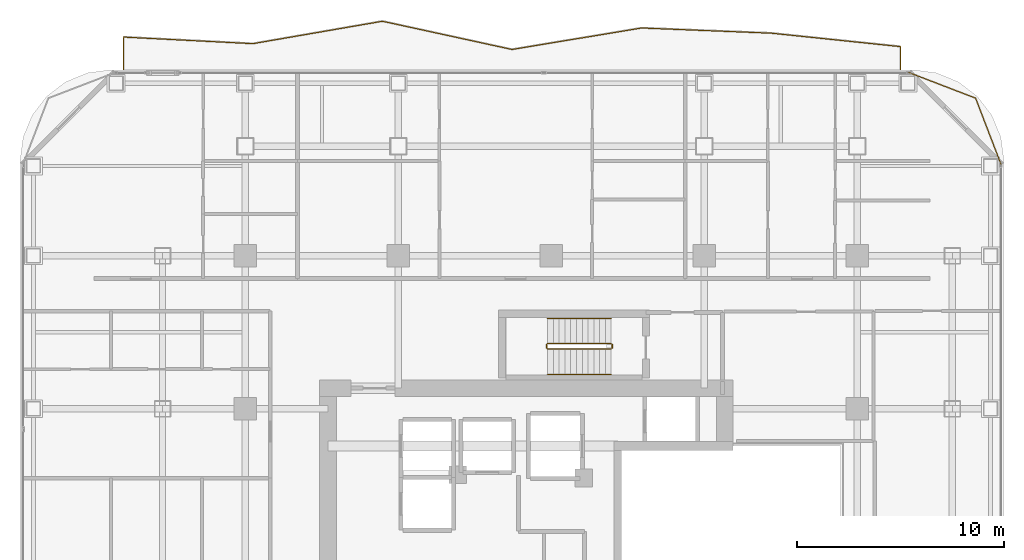
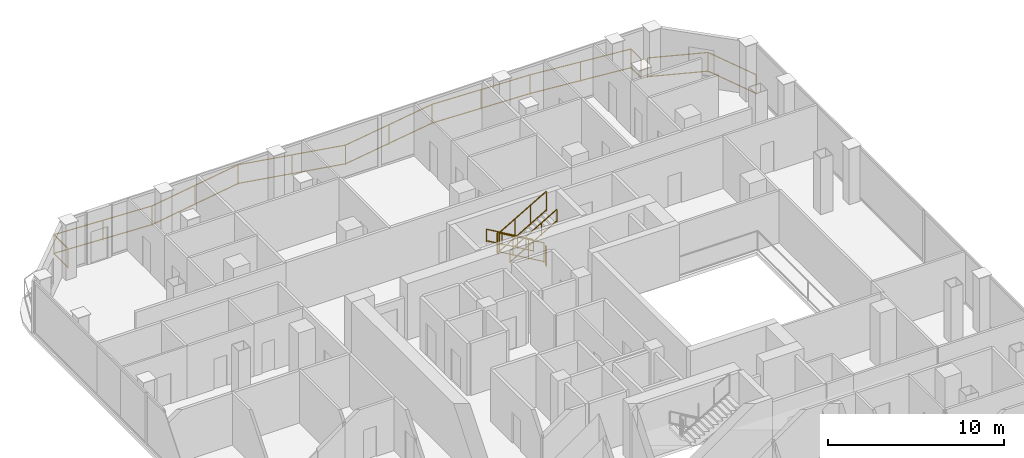
# One storey, part 26 of 26: 8 railings.
"""IFC4 building model written with IfcOpenShell, lengths in metres."""

from ifc_helpers import new_model, si_unit, direction, frame, origin, origin_2d, place, context, subcontext, project, spatial, rectangle, extrude, material, type_object, element, save


model = new_model("IFC4")

# Units and contexts
model_context = context("Model", 3, precision=1e-05, world=origin(), true_north=direction((0.0, 1.0)))
body_context = subcontext(model_context, "Body", "Model", "MODEL_VIEW")
ifc_project = project(units=[si_unit("LENGTHUNIT", "METRE"), si_unit("AREAUNIT", "SQUARE_METRE"), si_unit("VOLUMEUNIT", "CUBIC_METRE"), si_unit("PLANEANGLEUNIT", "RADIAN"), si_unit("MASSUNIT", "GRAM", prefix="KILO")], contexts=[model_context])

# Site, building, storey
site_placement = place(None, origin())
site = spatial("IfcSite", under=ifc_project, at=site_placement, CompositionType="ELEMENT")
building_placement = place(site_placement, origin())
building = spatial("IfcBuilding", under=site, at=building_placement, Name="Khorvyn Point Tower", CompositionType="ELEMENT")
storey_placement = place(building_placement, frame((0.0, 0.0, 187.5)))
storey = spatial("IfcBuildingStorey", under=building, at=storey_placement, Name="L46", CompositionType="ELEMENT", Elevation=187.5)

# Railings
ifc_material_1 = material(Name="Anodised aluminium 6063-T6 and laminated safety glass", Category="aluminium")
railing_type_1 = type_object("IfcRailingType", Name="Laminated Glass and Aluminium Balcony Guardrail 1400", PredefinedType="BALUSTRADE", material=ifc_material_1)
railing_1_placement = place(storey_placement, frame((21.774169921875, 19.176025390625, 0.0)))
element("IfcRailing", 1, at=railing_1_placement, inside=storey, type_object=railing_type_1, Name="L46 Rounded Corner Edge Guardrail NE", PredefinedType="BALUSTRADE", context=body_context, shape_type="SweptSolid", body=[
    extrude(rectangle(XDim=0.048095703125, YDim=0.048095703125, at=origin_2d()), frame((0.0, 0.0, 1.3759765625), z_axis=(-0.358382264808, 0.933574931257, 0.0), x_axis=(-0.933574931257, -0.358382264808, 0.0)), (0.0, 0.0, 1.0), 3.481689453125),
    extrude(rectangle(XDim=0.048095703125, YDim=0.048095703125, at=origin_2d()), frame((0.0, 0.0, 0.080078125), z_axis=(-0.358382264808, 0.933574931257, 0.0), x_axis=(-0.933574931257, -0.358382264808, 0.0)), (0.0, 0.0, 1.0), 3.481689453125),
    extrude(rectangle(XDim=0.048095703125, YDim=0.048095703125, at=origin_2d()), frame((-1.247802734375, 3.25048828125, 1.3759765625), z_axis=(-0.933598390295, 0.358321148746, 0.0), x_axis=(-0.358321148746, -0.933598390295, 0.0)), (0.0, 0.0, 1.0), 3.481689453125),
    extrude(rectangle(XDim=0.048095703125, YDim=0.048095703125, at=origin_2d()), frame((-1.247802734375, 3.25048828125, 0.080078125), z_axis=(-0.933598390295, 0.358321148746, 0.0), x_axis=(-0.358321148746, -0.933598390295, 0.0)), (0.0, 0.0, 1.0), 3.481689453125),
    extrude(rectangle(XDim=0.0419921875, YDim=0.0419921875, at=origin_2d()), origin(), (0.0, 0.0, 1.0), 1.351806640625),
    extrude(rectangle(XDim=0.0419921875, YDim=0.0419921875, at=origin_2d()), frame((-1.247802734375, 3.25048828125, 0.0)), (0.0, 0.0, 1.0), 1.351806640625),
    extrude(rectangle(XDim=0.0419921875, YDim=0.0419921875, at=origin_2d()), frame((-4.498291015625, 4.498046875, 0.0)), (0.0, 0.0, 1.0), 1.351806640625),
])
railing_2_placement = place(storey_placement, frame((16.89990234375, 23.800048828125, 0.0)))
element("IfcRailing", 2, at=railing_2_placement, inside=storey, type_object=railing_type_1, Name="L46 North Balcony Guardrail", PredefinedType="BALUSTRADE", context=body_context, shape_type="SweptSolid", body=[
    extrude(rectangle(XDim=0.048095703125, YDim=0.048095703125, at=origin_2d()), frame((0.0, 0.0, 1.3759765625), z_axis=(0.0, 1.0, 0.0), x_axis=(-1.0, 0.0, 0.0)), (0.0, 0.0, 1.0), 1.11865234375),
    extrude(rectangle(XDim=0.048095703125, YDim=0.048095703125, at=origin_2d()), frame((0.0, 0.0, 0.080078125), z_axis=(0.0, 1.0, 0.0), x_axis=(-1.0, 0.0, 0.0)), (0.0, 0.0, 1.0), 1.11865234375),
    extrude(rectangle(XDim=0.048095703125, YDim=0.048095703125, at=origin_2d()), frame((0.0, 1.11865234375, 1.3759765625), z_axis=(-0.99462938435, 0.103500665638, 0.0), x_axis=(-0.103500665638, -0.99462938435, 0.0)), (0.0, 0.0, 1.0), 6.300537109375),
    extrude(rectangle(XDim=0.048095703125, YDim=0.048095703125, at=origin_2d()), frame((0.0, 1.11865234375, 0.080078125), z_axis=(-0.99462938435, 0.103500665638, 0.0), x_axis=(-0.103500665638, -0.99462938435, 0.0)), (0.0, 0.0, 1.0), 6.300537109375),
    extrude(rectangle(XDim=0.048095703125, YDim=0.048095703125, at=origin_2d()), frame((-6.2666015625, 1.770751953125, 1.3759765625), z_axis=(-0.999209826541, 0.039745723582, 0.0), x_axis=(-0.039745723582, -0.999209826541, 0.0)), (0.0, 0.0, 1.0), 6.271484375),
    extrude(rectangle(XDim=0.048095703125, YDim=0.048095703125, at=origin_2d()), frame((-6.2666015625, 1.770751953125, 0.080078125), z_axis=(-0.999209826541, 0.039745723582, 0.0), x_axis=(-0.039745723582, -0.999209826541, 0.0)), (0.0, 0.0, 1.0), 6.271484375),
    extrude(rectangle(XDim=0.048095703125, YDim=0.048095703125, at=origin_2d()), frame((-12.533203125, 2.02001953125, 1.3759765625), z_axis=(-0.986524494659, -0.163613634633, 0.0), x_axis=(0.163613634633, -0.986524494659, 0.0)), (0.0, 0.0, 1.0), 6.352294921875),
    extrude(rectangle(XDim=0.048095703125, YDim=0.048095703125, at=origin_2d()), frame((-12.533203125, 2.02001953125, 0.080078125), z_axis=(-0.986524494659, -0.163613634633, 0.0), x_axis=(0.163613634633, -0.986524494659, 0.0)), (0.0, 0.0, 1.0), 6.352294921875),
    extrude(rectangle(XDim=0.048095703125, YDim=0.048095703125, at=origin_2d()), frame((-18.7998046875, 0.980712890625, 1.3759765625), z_axis=(-0.977051492994, 0.213003239503, 0.0), x_axis=(-0.213003239503, -0.977051492994, 0.0)), (0.0, 0.0, 1.0), 6.4140625),
    extrude(rectangle(XDim=0.048095703125, YDim=0.048095703125, at=origin_2d()), frame((-18.7998046875, 0.980712890625, 0.080078125), z_axis=(-0.977051492994, 0.213003239503, 0.0), x_axis=(-0.213003239503, -0.977051492994, 0.0)), (0.0, 0.0, 1.0), 6.4140625),
    extrude(rectangle(XDim=0.048095703125, YDim=0.048095703125, at=origin_2d()), frame((-25.066650390625, 2.346923828125, 1.3759765625), z_axis=(-0.985353979217, -0.170521364177, 0.0), x_axis=(0.170521364177, -0.985353979217, 0.0)), (0.0, 0.0, 1.0), 6.35986328125),
    extrude(rectangle(XDim=0.048095703125, YDim=0.048095703125, at=origin_2d()), frame((-25.066650390625, 2.346923828125, 0.080078125), z_axis=(-0.985353979217, -0.170521364177, 0.0), x_axis=(0.170521364177, -0.985353979217, 0.0)), (0.0, 0.0, 1.0), 6.35986328125),
    extrude(rectangle(XDim=0.048095703125, YDim=0.048095703125, at=origin_2d()), frame((-31.333251953125, 1.262451171875, 1.3759765625), z_axis=(-0.998706121207, 0.050853549183, 0.0), x_axis=(-0.050853549183, -0.998706121207, 0.0)), (0.0, 0.0, 1.0), 6.274658203125),
    extrude(rectangle(XDim=0.048095703125, YDim=0.048095703125, at=origin_2d()), frame((-31.333251953125, 1.262451171875, 0.080078125), z_axis=(-0.998706121207, 0.050853549183, 0.0), x_axis=(-0.050853549183, -0.998706121207, 0.0)), (0.0, 0.0, 1.0), 6.274658203125),
    extrude(rectangle(XDim=0.048095703125, YDim=0.048095703125, at=origin_2d()), frame((-37.599853515625, 1.58154296875, 1.3759765625), z_axis=(0.0, -1.0, 0.0), x_axis=(1.0, 0.0, 0.0)), (0.0, 0.0, 1.0), 1.58154296875),
    extrude(rectangle(XDim=0.048095703125, YDim=0.048095703125, at=origin_2d()), frame((-37.599853515625, 1.58154296875, 0.080078125), z_axis=(0.0, -1.0, 0.0), x_axis=(1.0, 0.0, 0.0)), (0.0, 0.0, 1.0), 1.58154296875),
    extrude(rectangle(XDim=0.0419921875, YDim=0.0419921875, at=origin_2d()), origin(), (0.0, 0.0, 1.0), 1.351806640625),
    extrude(rectangle(XDim=0.0419921875, YDim=0.0419921875, at=origin_2d()), frame((0.0, 1.11865234375, 0.0)), (0.0, 0.0, 1.0), 1.351806640625),
    extrude(rectangle(XDim=0.0419921875, YDim=0.0419921875, at=origin_2d()), frame((-3.13330078125, 1.44482421875, 0.0)), (0.0, 0.0, 1.0), 1.351806640625),
    extrude(rectangle(XDim=0.0419921875, YDim=0.0419921875, at=origin_2d()), frame((-6.2666015625, 1.770751953125, 0.0)), (0.0, 0.0, 1.0), 1.351806640625),
    extrude(rectangle(XDim=0.0419921875, YDim=0.0419921875, at=origin_2d()), frame((-9.39990234375, 1.8955078125, 0.0)), (0.0, 0.0, 1.0), 1.351806640625),
    extrude(rectangle(XDim=0.0419921875, YDim=0.0419921875, at=origin_2d()), frame((-12.533203125, 2.02001953125, 0.0)), (0.0, 0.0, 1.0), 1.351806640625),
    extrude(rectangle(XDim=0.0419921875, YDim=0.0419921875, at=origin_2d()), frame((-15.66650390625, 1.50048828125, 0.0)), (0.0, 0.0, 1.0), 1.351806640625),
    extrude(rectangle(XDim=0.0419921875, YDim=0.0419921875, at=origin_2d()), frame((-18.7998046875, 0.980712890625, 0.0)), (0.0, 0.0, 1.0), 1.351806640625),
    extrude(rectangle(XDim=0.0419921875, YDim=0.0419921875, at=origin_2d()), frame((-21.93310546875, 1.663818359375, 0.0)), (0.0, 0.0, 1.0), 1.351806640625),
    extrude(rectangle(XDim=0.0419921875, YDim=0.0419921875, at=origin_2d()), frame((-25.066650390625, 2.346923828125, 0.0)), (0.0, 0.0, 1.0), 1.351806640625),
    extrude(rectangle(XDim=0.0419921875, YDim=0.0419921875, at=origin_2d()), frame((-28.199951171875, 1.8046875, 0.0)), (0.0, 0.0, 1.0), 1.351806640625),
    extrude(rectangle(XDim=0.0419921875, YDim=0.0419921875, at=origin_2d()), frame((-31.333251953125, 1.262451171875, 0.0)), (0.0, 0.0, 1.0), 1.351806640625),
    extrude(rectangle(XDim=0.0419921875, YDim=0.0419921875, at=origin_2d()), frame((-34.466552734375, 1.421875, 0.0)), (0.0, 0.0, 1.0), 1.351806640625),
    extrude(rectangle(XDim=0.0419921875, YDim=0.0419921875, at=origin_2d()), frame((-37.599853515625, 1.58154296875, 0.0)), (0.0, 0.0, 1.0), 1.351806640625),
    extrude(rectangle(XDim=0.0419921875, YDim=0.0419921875, at=origin_2d()), frame((-37.599853515625, 0.0, 0.0)), (0.0, 0.0, 1.0), 1.351806640625),
])
ifc_material_2 = material(Name="Stainless steel 1.4301", Category="steel")
railing_type_2 = type_object("IfcRailingType", Name="Stainless Steel 304 Stair Pitch Handrail 900", PredefinedType="HANDRAIL", material=ifc_material_2)
railing_3_placement = place(storey_placement, frame((2.89990234375, 11.77001953125, 0.16259765625)))
element("IfcRailing", 3, at=railing_3_placement, inside=storey, type_object=railing_type_2, Name="L46 ST-02 stair handrail 1", PredefinedType="HANDRAIL", context=body_context, shape_type="SweptSolid", body=[
    extrude(rectangle(XDim=0.048095703125, YDim=0.048095703125, at=origin_2d()), frame((0.0, 0.0, 0.8759765625), z_axis=(-0.864903211148, 0.0, 0.501938676878), x_axis=(0.0, -1.0, 0.0)), (0.0, 0.0, 1.0), 3.560791015625),
    extrude(rectangle(XDim=0.048095703125, YDim=0.048095703125, at=origin_2d()), frame((0.0, 0.0, 0.080078125), z_axis=(-0.864903211148, 0.0, 0.501938676878), x_axis=(0.0, -1.0, 0.0)), (0.0, 0.0, 1.0), 3.560791015625),
    extrude(rectangle(XDim=0.0419921875, YDim=0.0419921875, at=origin_2d()), origin(), (0.0, 0.0, 1.0), 0.851806640625),
    extrude(rectangle(XDim=0.0419921875, YDim=0.0419921875, at=origin_2d()), frame((-1.026611328125, 0.0, 0.595703125)), (0.0, 0.0, 1.0), 0.851806640625),
    extrude(rectangle(XDim=0.0419921875, YDim=0.0419921875, at=origin_2d()), frame((-2.05322265625, 0.0, 1.191650390625)), (0.0, 0.0, 1.0), 0.851806640625),
    extrude(rectangle(XDim=0.0419921875, YDim=0.0419921875, at=origin_2d()), frame((-3.079833984375, 0.0, 1.787353515625)), (0.0, 0.0, 1.0), 0.851806640625),
])
railing_4_placement = place(storey_placement, frame((-0.179931640625, 9.070068359375, 2.112548828125)))
element("IfcRailing", 4, at=railing_4_placement, inside=storey, type_object=railing_type_2, Name="L46 ST-02 stair handrail 2", PredefinedType="HANDRAIL", context=body_context, shape_type="SweptSolid", body=[
    extrude(rectangle(XDim=0.048095703125, YDim=0.048095703125, at=origin_2d()), frame((0.0, 0.0, 0.8759765625), z_axis=(0.864903211148, 0.0, 0.501938676878), x_axis=(0.0, 1.0, 0.0)), (0.0, 0.0, 1.0), 3.560791015625),
    extrude(rectangle(XDim=0.048095703125, YDim=0.048095703125, at=origin_2d()), frame((0.0, 0.0, 0.080078125), z_axis=(0.864903211148, 0.0, 0.501938676878), x_axis=(0.0, 1.0, 0.0)), (0.0, 0.0, 1.0), 3.560791015625),
    extrude(rectangle(XDim=0.0419921875, YDim=0.0419921875, at=origin_2d()), origin(), (0.0, 0.0, 1.0), 0.851806640625),
    extrude(rectangle(XDim=0.0419921875, YDim=0.0419921875, at=origin_2d()), frame((1.026611328125, 0.0, 0.595703125)), (0.0, 0.0, 1.0), 0.851806640625),
    extrude(rectangle(XDim=0.0419921875, YDim=0.0419921875, at=origin_2d()), frame((2.05322265625, 0.0, 1.191650390625)), (0.0, 0.0, 1.0), 0.851806640625),
    extrude(rectangle(XDim=0.0419921875, YDim=0.0419921875, at=origin_2d()), frame((3.079833984375, 0.0, 1.787353515625)), (0.0, 0.0, 1.0), 0.851806640625),
])
railing_type_3 = type_object("IfcRailingType", Name="Stainless Steel 304 Stair Well Guardrail 1400", PredefinedType="GUARDRAIL", material=ifc_material_2)
railing_5_placement = place(storey_placement, frame((2.89990234375, 10.550048828125, 0.16259765625)))
element("IfcRailing", 5, at=railing_5_placement, inside=storey, type_object=railing_type_3, Name="L46 ST-02 stair guard 1", PredefinedType="GUARDRAIL", context=body_context, shape_type="SweptSolid", body=[
    extrude(rectangle(XDim=0.048095703125, YDim=0.048095703125, at=origin_2d()), frame((0.0, 0.0, 1.3759765625), z_axis=(-0.864903211148, 0.0, 0.501938676878), x_axis=(0.0, -1.0, 0.0)), (0.0, 0.0, 1.0), 3.560791015625),
    extrude(rectangle(XDim=0.048095703125, YDim=0.048095703125, at=origin_2d()), frame((0.0, 0.0, 0.080078125), z_axis=(-0.864903211148, 0.0, 0.501938676878), x_axis=(0.0, -1.0, 0.0)), (0.0, 0.0, 1.0), 3.560791015625),
    extrude(rectangle(XDim=0.0419921875, YDim=0.0419921875, at=origin_2d()), origin(), (0.0, 0.0, 1.0), 1.351806640625),
    extrude(rectangle(XDim=0.0419921875, YDim=0.0419921875, at=origin_2d()), frame((-1.026611328125, 0.0, 0.595703125)), (0.0, 0.0, 1.0), 1.351806640625),
    extrude(rectangle(XDim=0.0419921875, YDim=0.0419921875, at=origin_2d()), frame((-2.05322265625, 0.0, 1.191650390625)), (0.0, 0.0, 1.0), 1.351806640625),
    extrude(rectangle(XDim=0.0419921875, YDim=0.0419921875, at=origin_2d()), frame((-3.079833984375, 0.0, 1.787353515625)), (0.0, 0.0, 1.0), 1.351806640625),
])
railing_6_placement = place(storey_placement, frame((-0.22998046875, 10.5, 1.949951171875)))
element("IfcRailing", 6, at=railing_6_placement, inside=storey, type_object=railing_type_3, Name="L46 ST-02 stair guard 2", PredefinedType="GUARDRAIL", context=body_context, shape_type="SweptSolid", body=[
    extrude(rectangle(XDim=0.048095703125, YDim=0.048095703125, at=origin_2d()), frame((0.0, 0.0, 1.3759765625), z_axis=(0.0, -1.0, 0.0), x_axis=(1.0, 0.0, 0.0)), (0.0, 0.0, 1.0), 0.159912109375),
    extrude(rectangle(XDim=0.048095703125, YDim=0.048095703125, at=origin_2d()), frame((0.0, 0.0, 0.080078125), z_axis=(0.0, -1.0, 0.0), x_axis=(1.0, 0.0, 0.0)), (0.0, 0.0, 1.0), 0.159912109375),
    extrude(rectangle(XDim=0.0419921875, YDim=0.0419921875, at=origin_2d()), origin(), (0.0, 0.0, 1.0), 1.351806640625),
    extrude(rectangle(XDim=0.0419921875, YDim=0.0419921875, at=origin_2d()), frame((0.0, -0.159912109375, 0.0)), (0.0, 0.0, 1.0), 1.351806640625),
])
railing_7_placement = place(storey_placement, frame((-0.179931640625, 10.2900390625, 2.112548828125)))
element("IfcRailing", 7, at=railing_7_placement, inside=storey, type_object=railing_type_3, Name="L46 ST-02 stair guard 3", PredefinedType="GUARDRAIL", context=body_context, shape_type="SweptSolid", body=[
    extrude(rectangle(XDim=0.048095703125, YDim=0.048095703125, at=origin_2d()), frame((0.0, 0.0, 1.3759765625), z_axis=(0.864903211148, 0.0, 0.501938676878), x_axis=(0.0, 1.0, 0.0)), (0.0, 0.0, 1.0), 3.560791015625),
    extrude(rectangle(XDim=0.048095703125, YDim=0.048095703125, at=origin_2d()), frame((0.0, 0.0, 0.080078125), z_axis=(0.864903211148, 0.0, 0.501938676878), x_axis=(0.0, 1.0, 0.0)), (0.0, 0.0, 1.0), 3.560791015625),
    extrude(rectangle(XDim=0.0419921875, YDim=0.0419921875, at=origin_2d()), origin(), (0.0, 0.0, 1.0), 1.351806640625),
    extrude(rectangle(XDim=0.0419921875, YDim=0.0419921875, at=origin_2d()), frame((1.026611328125, 0.0, 0.595703125)), (0.0, 0.0, 1.0), 1.351806640625),
    extrude(rectangle(XDim=0.0419921875, YDim=0.0419921875, at=origin_2d()), frame((2.05322265625, 0.0, 1.191650390625)), (0.0, 0.0, 1.0), 1.351806640625),
    extrude(rectangle(XDim=0.0419921875, YDim=0.0419921875, at=origin_2d()), frame((3.079833984375, 0.0, 1.787353515625)), (0.0, 0.0, 1.0), 1.351806640625),
])
railing_8_placement = place(storey_placement, frame((2.949951171875, 10.5, 0.0)))
element("IfcRailing", 8, at=railing_8_placement, inside=storey, type_object=railing_type_3, Name="L46 ST-02 stair guard 4", PredefinedType="GUARDRAIL", context=body_context, shape_type="SweptSolid", body=[
    extrude(rectangle(XDim=0.048095703125, YDim=0.048095703125, at=origin_2d()), frame((0.0, 0.0, 1.3759765625), z_axis=(0.0, -1.0, 0.0), x_axis=(1.0, 0.0, 0.0)), (0.0, 0.0, 1.0), 0.159912109375),
    extrude(rectangle(XDim=0.048095703125, YDim=0.048095703125, at=origin_2d()), frame((0.0, 0.0, 0.080078125), z_axis=(0.0, -1.0, 0.0), x_axis=(1.0, 0.0, 0.0)), (0.0, 0.0, 1.0), 0.159912109375),
    extrude(rectangle(XDim=0.0419921875, YDim=0.0419921875, at=origin_2d()), origin(), (0.0, 0.0, 1.0), 1.351806640625),
    extrude(rectangle(XDim=0.0419921875, YDim=0.0419921875, at=origin_2d()), frame((0.0, -0.159912109375, 0.0)), (0.0, 0.0, 1.0), 1.351806640625),
])

save(model, "model.ifc")
